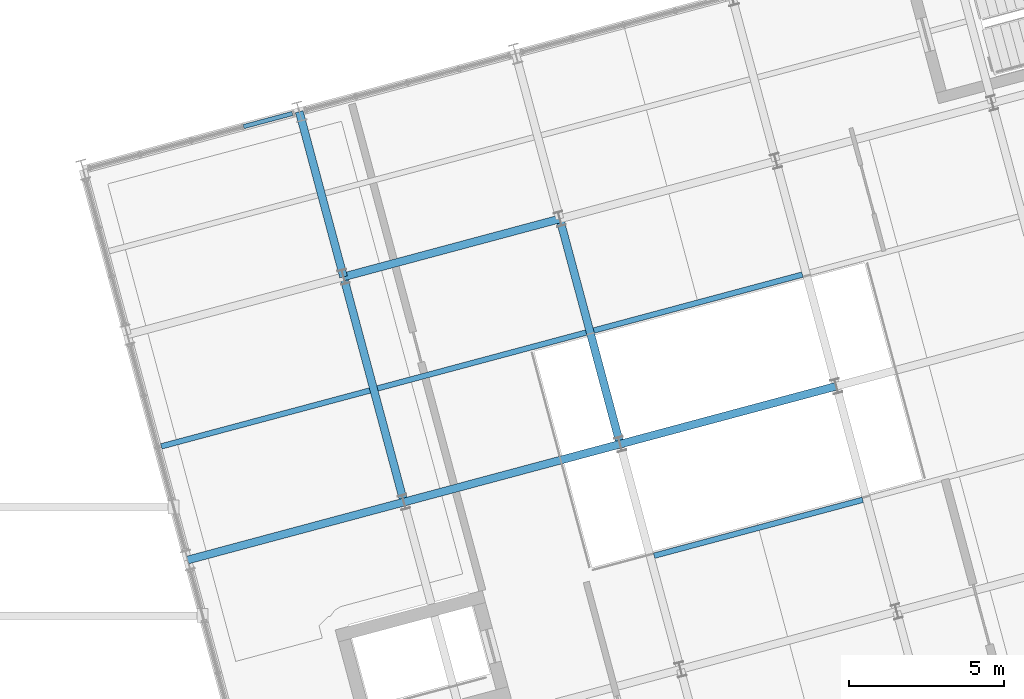
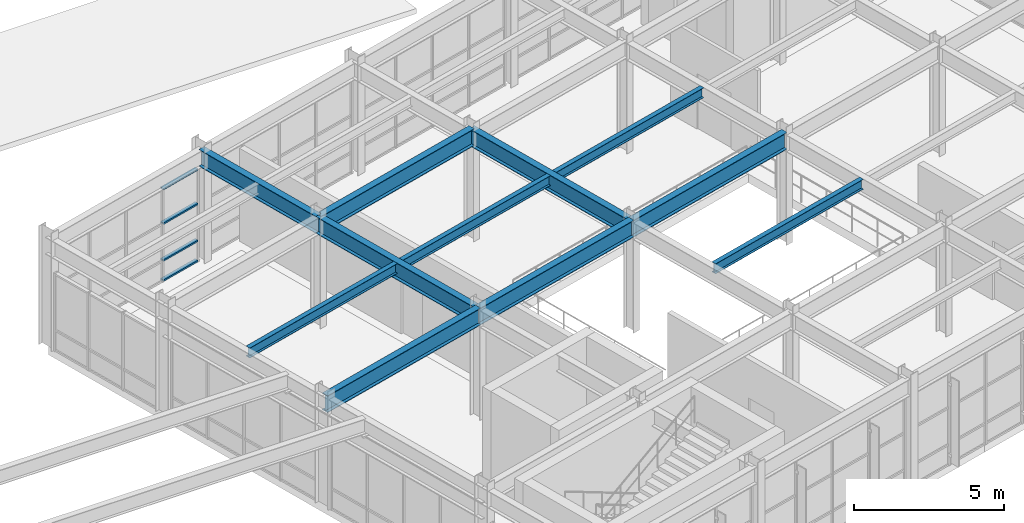
# One storey, part 41 of 104: 11 beams, 4 members, 1 element without a shape of its own.
"""IFC4 building model written with IfcOpenShell, lengths in metres."""

from ifc_helpers import new_model, si_unit, direction, frame, origin, origin_2d, place, context, subcontext, project, spatial, hollow_rectangle, i_section, extrude, material, layer, layer_set, material_profile, profile_set, type_object, element, aggregate, save


model = new_model("IFC4")

# Units and contexts
model_context = context("Model", 3, precision=1e-05, world=origin(), true_north=direction((0.0, 1.0)))
body_context = subcontext(model_context, "Body", "Model", "MODEL_VIEW")
ifc_project = project(units=[si_unit("LENGTHUNIT", "METRE"), si_unit("AREAUNIT", "SQUARE_METRE"), si_unit("VOLUMEUNIT", "CUBIC_METRE"), si_unit("PLANEANGLEUNIT", "RADIAN"), si_unit("MASSUNIT", "GRAM", prefix="KILO")], contexts=[model_context])

# Site, building, storey
site_placement = place(None, origin())
site = spatial("IfcSite", under=ifc_project, at=site_placement, CompositionType="ELEMENT")
building_placement = place(site_placement, origin())
building = spatial("IfcBuilding", under=site, at=building_placement, Name="Ventoquebrada Cableway Terminal", CompositionType="ELEMENT")
storey_placement = place(building_placement, frame((0.0, 0.0, 4.800048828125)))
storey = spatial("IfcBuildingStorey", under=building, at=storey_placement, Name="L01", CompositionType="ELEMENT", Elevation=4.800048828125)

# Beams
ifc_material_1 = material(Name="Steel ASTM A992 Grade 50", Category="steel")
ifc_material_profile_1 = material_profile(ifc_material_1, i_section(OverallWidth=0.25390625, OverallDepth=0.68798828125, WebThickness=0.01318359375, FlangeThickness=0.02099609375, at=origin_2d()), Name="W27X102")
ifc_profile_set_1 = profile_set([ifc_material_profile_1], Name="Steel ASTM A992 Grade 50")
beam_type_1 = type_object("IfcBeamType", Name="BM-ST04", PredefinedType="BEAM", material=ifc_profile_set_1)
beam_1_placement = place(storey_placement, frame((55.568115234375, 84.205078125, 4.130859375), z_axis=(-0.258839684269, 0.965920295805, 0.0), x_axis=(-0.965920295805, -0.258839684269, 0.0)))
element("IfcBeam", 1, at=beam_1_placement, inside=storey, type_object=beam_type_1, Name="Splayed station girder FBM-1023", PredefinedType="BEAM", context=body_context, shape_type="SweptSolid", body=[
    extrude(i_section(OverallWidth=0.25390625, OverallDepth=0.68798828125, WebThickness=0.01318359375, FlangeThickness=0.02099609375, at=origin_2d()), origin(), (0.0, 0.0, 1.0), 7.49951171875),
])
beam_2_placement = place(storey_placement, frame((53.626953125, 91.448974609375, 4.130859375), z_axis=(-0.258897298886, 0.965904854853, 0.0), x_axis=(-0.965904854853, -0.258897298886, 0.0)))
element("IfcBeam", 2, at=beam_2_placement, inside=storey, type_object=beam_type_1, Name="Splayed station girder FBM-1024", PredefinedType="BEAM", context=body_context, shape_type="SweptSolid", body=[
    extrude(i_section(OverallWidth=0.25390625, OverallDepth=0.68798828125, WebThickness=0.01318359375, FlangeThickness=0.02099609375, at=origin_2d()), origin(), (0.0, 0.0, 1.0), 5.50048828125),
])
beam_3_placement = place(storey_placement, frame((62.52294921875, 86.068115234375, 4.130859375), z_axis=(-0.258776761059, 0.965937155273, 0.0), x_axis=(-0.965937155273, -0.258776761059, 0.0)))
element("IfcBeam", 3, at=beam_3_placement, inside=storey, type_object=beam_type_1, Name="Splayed station girder FBM-1027", PredefinedType="BEAM", context=body_context, shape_type="SweptSolid", body=[
    extrude(i_section(OverallWidth=0.25390625, OverallDepth=0.68798828125, WebThickness=0.01318359375, FlangeThickness=0.02099609375, at=origin_2d()), origin(), (0.0, 0.0, 1.0), 7.500244140625),
])
beam_4_placement = place(storey_placement, frame((48.613037109375, 82.341064453125, 4.130859375), z_axis=(0.96591172503, 0.258871665986, 0.0), x_axis=(-0.258871665986, 0.96591172503, 0.0)))
element("IfcBeam", 4, at=beam_4_placement, inside=storey, type_object=beam_type_1, Name="Splayed station girder FBM-1051", PredefinedType="BEAM", context=body_context, shape_type="SweptSolid", body=[
    extrude(i_section(OverallWidth=0.25390625, OverallDepth=0.68798828125, WebThickness=0.01318359375, FlangeThickness=0.02099609375, at=origin_2d()), origin(), (0.0, 0.0, 1.0), 7.200439453125),
])
beam_5_placement = place(storey_placement, frame((55.568115234375, 84.205078125, 4.130859375), z_axis=(0.965943360086, 0.258753599214, 0.0), x_axis=(-0.258753599214, 0.965943360086, 0.0)))
element("IfcBeam", 5, at=beam_5_placement, inside=storey, type_object=beam_type_1, Name="Splayed station girder FBM-1052", PredefinedType="BEAM", context=body_context, shape_type="SweptSolid", body=[
    extrude(i_section(OverallWidth=0.25390625, OverallDepth=0.68798828125, WebThickness=0.01318359375, FlangeThickness=0.02099609375, at=origin_2d()), origin(), (0.0, 0.0, 1.0), 7.199951171875),
])
beam_6_placement = place(storey_placement, frame((62.52294921875, 86.068115234375, 4.130859375), z_axis=(0.965911114263, 0.258873944891, 0.0), x_axis=(-0.258873944891, 0.965911114263, 0.0)))
element("IfcBeam", 6, at=beam_6_placement, inside=storey, type_object=beam_type_1, Name="Splayed station girder FBM-1053", PredefinedType="BEAM", context=body_context, shape_type="SweptSolid", body=[
    extrude(i_section(OverallWidth=0.25390625, OverallDepth=0.68798828125, WebThickness=0.01318359375, FlangeThickness=0.02099609375, at=origin_2d()), origin(), (0.0, 0.0, 1.0), 7.199462890625),
])
beam_7_placement = place(storey_placement, frame((53.626953125, 91.448974609375, 4.130859375), z_axis=(0.96591172503, 0.258871665986, 0.0), x_axis=(-0.258871665986, 0.96591172503, 0.0)))
element("IfcBeam", 7, at=beam_7_placement, inside=storey, type_object=beam_type_1, Name="Splayed station girder FBM-1057", PredefinedType="BEAM", context=body_context, shape_type="SweptSolid", body=[
    extrude(i_section(OverallWidth=0.25390625, OverallDepth=0.68798828125, WebThickness=0.01318359375, FlangeThickness=0.02099609375, at=origin_2d()), origin(), (0.0, 0.0, 1.0), 7.200439453125),
])

# Curtain wall, members
ifc_material_2 = material(Name="Anodized thermally-broken aluminium", Category="aluminium")
ifc_layer = layer(ifc_material_2, 0.159912109375)
ifc_layer_set = layer_set([ifc_layer], Name="Anodized thermally-broken aluminium")
curtain_wall_type = type_object("IfcCurtainWallType", Name="CW-T37", PredefinedType="USERDEFINED", material=ifc_layer_set)
curtain_wall_placement = place(storey_placement, origin())
curtain_wall = element("IfcCurtainWall", 8, at=curtain_wall_placement, inside=storey, type_object=curtain_wall_type, Name="Unitised glazed curtain wall CW-088", ObjectType="UNITISED CURTAIN WALL", PredefinedType="USERDEFINED")
ifc_material_profile_2 = material_profile(ifc_material_2, hollow_rectangle(XDim=0.06494140625, YDim=0.139892578125, WallThickness=0.00390625, at=origin_2d()), Name="CW-TRN-65X140")
ifc_profile_set_2 = profile_set([ifc_material_profile_2], Name="Anodized thermally-broken aluminium")
member_type = type_object("IfcMemberType", Name="CWT-01", PredefinedType="USERDEFINED", material=ifc_profile_set_2)
member_1_placement = place(storey_placement, frame((51.97998046875, 96.701904296875, 0.034912109375), z_axis=(-0.965895076966, -0.258933775881, 0.0), x_axis=(0.0, 0.0, 1.0)))
member_1 = element("IfcMember", 9, at=member_1_placement, type_object=member_type, Name="Curtain wall transom FTR-1272", ObjectType="TRANSOM", PredefinedType="USERDEFINED", context=body_context, shape_type="SweptSolid", body=[
    extrude(hollow_rectangle(XDim=0.06494140625, YDim=0.139892578125, WallThickness=0.00390625, at=origin_2d()), origin(), (0.0, 0.0, 1.0), 1.62548828125),
])
member_2_placement = place(storey_placement, frame((51.97998046875, 96.701904296875, 0.849853515625), z_axis=(-0.965895076966, -0.258933775881, 0.0), x_axis=(0.0, 0.0, 1.0)))
member_2 = element("IfcMember", 10, at=member_2_placement, type_object=member_type, Name="Curtain wall transom FTR-1273", ObjectType="TRANSOM", PredefinedType="USERDEFINED", context=body_context, shape_type="SweptSolid", body=[
    extrude(hollow_rectangle(XDim=0.06494140625, YDim=0.139892578125, WallThickness=0.00390625, at=origin_2d()), origin(), (0.0, 0.0, 1.0), 1.62548828125),
])
member_3_placement = place(storey_placement, frame((51.97998046875, 96.701904296875, 2.344970703125), z_axis=(-0.965895076966, -0.258933775881, 0.0), x_axis=(0.0, 0.0, 1.0)))
member_3 = element("IfcMember", 11, at=member_3_placement, type_object=member_type, Name="Curtain wall transom FTR-1274", ObjectType="TRANSOM", PredefinedType="USERDEFINED", context=body_context, shape_type="SweptSolid", body=[
    extrude(hollow_rectangle(XDim=0.06494140625, YDim=0.139892578125, WallThickness=0.00390625, at=origin_2d()), origin(), (0.0, 0.0, 1.0), 1.62548828125),
])
member_4_placement = place(storey_placement, frame((51.97998046875, 96.701904296875, 3.7470703125), z_axis=(-0.965895076966, -0.258933775881, 0.0), x_axis=(0.0, 0.0, 1.0)))
member_4 = element("IfcMember", 12, at=member_4_placement, type_object=member_type, Name="Curtain wall transom FTR-1275", ObjectType="TRANSOM", PredefinedType="USERDEFINED", context=body_context, shape_type="SweptSolid", body=[
    extrude(hollow_rectangle(XDim=0.06494140625, YDim=0.139892578125, WallThickness=0.00390625, at=origin_2d()), origin(), (0.0, 0.0, 1.0), 1.62548828125),
])
aggregate(curtain_wall, [member_1, member_2, member_3, member_4])

# Beams
ifc_material_profile_3 = material_profile(ifc_material_1, i_section(OverallWidth=0.177978515625, OverallDepth=0.406005859375, WebThickness=0.0078125, FlangeThickness=0.0126953125, at=origin_2d()), Name="W16X40")
ifc_profile_set_3 = profile_set([ifc_material_profile_3], Name="Steel ASTM A992 Grade 50")
beam_type_2 = type_object("IfcBeamType", Name="JST-ST06", PredefinedType="JOIST", material=ifc_profile_set_3)
beam_8_placement = place(storey_placement, frame((47.764892578125, 85.99609375, 4.27197265625), z_axis=(0.965930953195, 0.258799910472, 0.0), x_axis=(-0.258799910472, 0.965930953195, 0.0)))
element("IfcBeam", 13, at=beam_8_placement, inside=storey, type_object=beam_type_2, Name="Splayed deck joist FBM-1066", PredefinedType="JOIST", context=body_context, shape_type="SweptSolid", body=[
    extrude(i_section(OverallWidth=0.177978515625, OverallDepth=0.406005859375, WebThickness=0.0078125, FlangeThickness=0.0126953125, at=origin_2d()), origin(), (0.0, 0.0, 1.0), 6.94677734375),
])
for number, where, z_axis, x_axis, name in (
    (14, (54.719970703125, 87.860107421875, 4.27197265625), (0.965919180953, 0.258843844561, 0.0), (-0.258843844561, 0.965919180953, 0.0), "Splayed deck joist FBM-1068"),
    (15, (63.615966796875, 82.47900390625, 4.27197265625), (0.96591039222, 0.258876638963, 0.0), (-0.258876638963, 0.96591039222, 0.0), "Splayed deck joist FBM-1071"),
    (16, (61.675048828125, 89.722900390625, 4.27197265625), (0.96591039222, 0.258876638963, 0.0), (-0.258876638963, 0.96591039222, 0.0), "Splayed deck joist FBM-1072"),
):
    element("IfcBeam", number, at=place(storey_placement, frame(where, z_axis=z_axis, x_axis=x_axis)), inside=storey, type_object=beam_type_2, Name=name, PredefinedType="JOIST", context=body_context, shape_type="SweptSolid", body=[
        extrude(i_section(OverallWidth=0.177978515625, OverallDepth=0.406005859375, WebThickness=0.0078125, FlangeThickness=0.0126953125, at=origin_2d()), origin(), (0.0, 0.0, 1.0), 6.94580078125),
    ])

save(model, "model.ifc")
